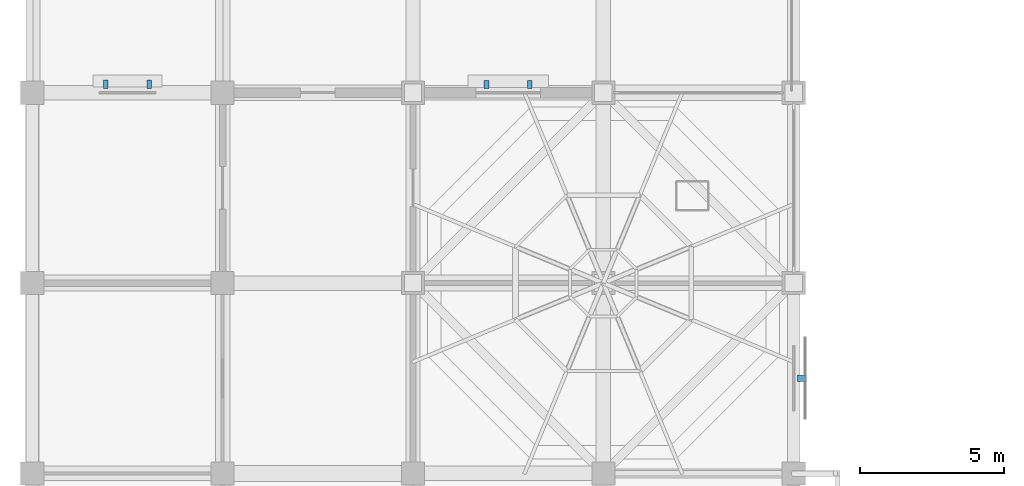
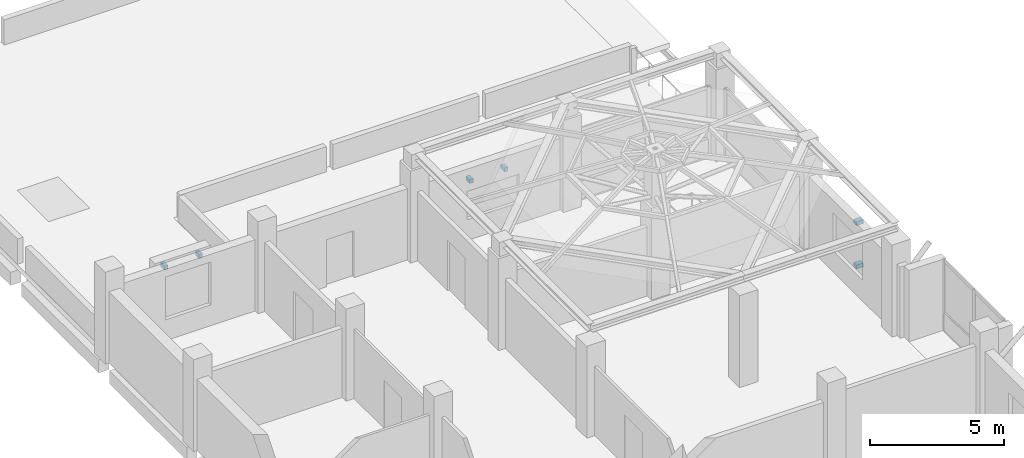
# One storey, part 22 of 25: 6 discrete accessories.
"""IFC4 building model written with IfcOpenShell, lengths in metres."""

from ifc_helpers import new_model, si_unit, direction, frame, origin, origin_2d, place, context, subcontext, project, spatial, rectangle, extrude, material, type_object, element, save


model = new_model("IFC4")

# Units and contexts
model_context = context("Model", 3, precision=1e-05, world=origin(), true_north=direction((0.0, 1.0)))
body_context = subcontext(model_context, "Body", "Model", "MODEL_VIEW")
ifc_project = project(units=[si_unit("LENGTHUNIT", "METRE"), si_unit("AREAUNIT", "SQUARE_METRE"), si_unit("VOLUMEUNIT", "CUBIC_METRE"), si_unit("PLANEANGLEUNIT", "RADIAN"), si_unit("MASSUNIT", "GRAM", prefix="KILO")], contexts=[model_context])

# Site, building, storey
site_placement = place(None, origin())
site = spatial("IfcSite", under=ifc_project, at=site_placement, CompositionType="ELEMENT")
building_placement = place(site_placement, origin())
building = spatial("IfcBuilding", under=site, at=building_placement, Name="Rusizi Kubbe Research Institute", CompositionType="ELEMENT")
storey_placement = place(building_placement, frame((0.0, 0.0, 14.39990234375)))
storey = spatial("IfcBuildingStorey", under=building, at=storey_placement, Name="L03", CompositionType="ELEMENT", Elevation=14.39990234375)

# Discrete accessories
ifc_material_1 = material(Name="Steel S355", Category="steel")
discrete_accessory_type_1 = type_object("IfcDiscreteAccessoryType", Name="BK-01", PredefinedType="BRACKET", material=ifc_material_1)
for number, where, z_axis, x_axis, name in (
    (1, (26.6875, 89.10009765625, 0.740234375), (0.0, 0.0, 1.0), (1.0, 0.0, 0.0), "Solar Screen Bracket 38-1"),
    (2, (26.6875, 89.10009765625, 2.72021484375), (0.0, 0.0, 1.0), (1.0, 0.0, 0.0), "Solar Screen Bracket 38-2"),
):
    element("IfcDiscreteAccessory", number, at=place(storey_placement, frame(where, z_axis=z_axis, x_axis=x_axis)), inside=storey, type_object=discrete_accessory_type_1, Name=name, PredefinedType="BRACKET", context=body_context, shape_type="SweptSolid", body=[
        extrude(rectangle(XDim=0.300048828125, YDim=0.219970703125, at=origin_2d()), origin(), (0.0, 0.0, 1.0), 0.179931640625),
    ])
ifc_material_2 = material(Name="Steel S355", Category="steel")
discrete_accessory_type_2 = type_object("IfcDiscreteAccessoryType", Name="BK-02", PredefinedType="BRACKET", material=ifc_material_2)
for number, where, z_axis, x_axis, name in (
    (3, (2.550048828125, 99.29248046875, 2.9599609375), (0.0, 0.0, 1.0), (1.0, 0.0, 0.0), "Louver Canopy Bracket 24-1"),
    (4, (4.050048828125, 99.29248046875, 2.9599609375), (0.0, 0.0, 1.0), (1.0, 0.0, 0.0), "Louver Canopy Bracket 24-2"),
    (5, (15.75, 99.277587890625, 2.30029296875), (0.0, 0.0, 1.0), (1.0, 0.0, 0.0), "Louver Canopy Bracket 25-1"),
    (6, (17.25, 99.277587890625, 2.30029296875), (0.0, 0.0, 1.0), (1.0, 0.0, 0.0), "Louver Canopy Bracket 25-2"),
):
    element("IfcDiscreteAccessory", number, at=place(storey_placement, frame(where, z_axis=z_axis, x_axis=x_axis)), inside=storey, type_object=discrete_accessory_type_2, Name=name, PredefinedType="BRACKET", context=body_context, shape_type="SweptSolid", body=[
        extrude(rectangle(XDim=0.159912109375, YDim=0.280029296875, at=origin_2d()), origin(), (0.0, 0.0, 1.0), 0.179931640625),
    ])

save(model, "model.ifc")
